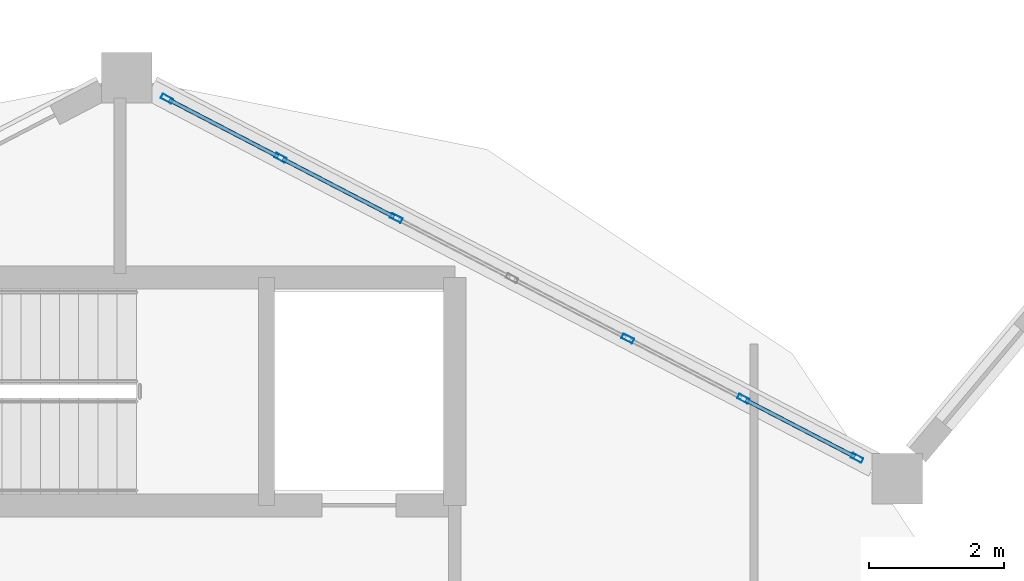
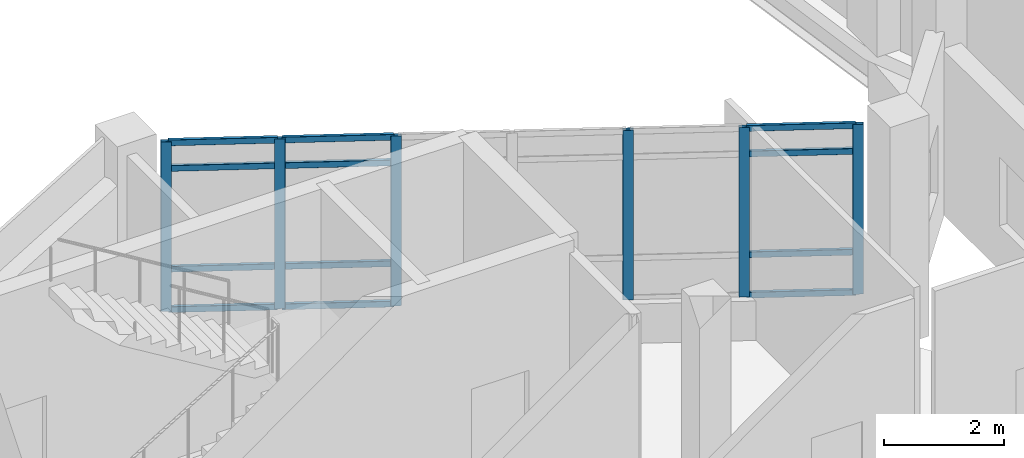
# One storey, part 26 of 129: 18 members, 1 element without a shape of its own.
"""IFC4 building model written with IfcOpenShell, lengths in metres."""

from ifc_helpers import new_model, si_unit, direction, frame, origin, origin_2d, place, context, subcontext, project, spatial, hollow_rectangle, extrude, material, layer, layer_set, material_profile, profile_set, type_object, element, aggregate, save


model = new_model("IFC4")

# Units and contexts
model_context = context("Model", 3, precision=1e-05, world=origin(), true_north=direction((0.0, 1.0)))
body_context = subcontext(model_context, "Body", "Model", "MODEL_VIEW")
ifc_project = project(units=[si_unit("LENGTHUNIT", "METRE"), si_unit("AREAUNIT", "SQUARE_METRE"), si_unit("VOLUMEUNIT", "CUBIC_METRE"), si_unit("PLANEANGLEUNIT", "RADIAN"), si_unit("MASSUNIT", "GRAM", prefix="KILO")], contexts=[model_context])

# Site, building, storey
site_placement = place(None, origin())
site = spatial("IfcSite", under=ifc_project, at=site_placement, CompositionType="ELEMENT")
building_placement = place(site_placement, origin())
building = spatial("IfcBuilding", under=site, at=building_placement, Name="Vespera Passage Community Centre", CompositionType="ELEMENT")
storey_placement = place(building_placement, origin())
storey = spatial("IfcBuildingStorey", under=building, at=storey_placement, Name="L00", CompositionType="ELEMENT", Elevation=0.0)

# Curtain wall, members
ifc_material_1 = material(Name="Anodized aluminium 6063-T6", Category="aluminium")
ifc_layer = layer(ifc_material_1, 0.159912109375)
ifc_layer_set = layer_set([ifc_layer], Name="Anodized aluminium 6063-T6")
curtain_wall_type = type_object("IfcCurtainWallType", Name="CW-83E", PredefinedType="NOTDEFINED", material=ifc_layer_set)
curtain_wall_placement = place(storey_placement, origin())
curtain_wall = element("IfcCurtainWall", 1, at=curtain_wall_placement, inside=storey, type_object=curtain_wall_type, Name="V1 L00 N Apse Ribbon Curtain Wall 3", PredefinedType="NOTDEFINED")
ifc_material_2 = material(Name="Anodized aluminium 6063-T6", Category="aluminium")
ifc_material_profile_1 = material_profile(ifc_material_2, hollow_rectangle(XDim=0.074951171875, YDim=0.179931640625, WallThickness=0.0048828125, InnerFilletRadius=0.00244140625, OuterFilletRadius=0.0048828125, at=origin_2d()), Name="ALU180X75X5")
ifc_profile_set_1 = profile_set([ifc_material_profile_1], Name="Anodized aluminium 6063-T6")
member_type_1 = type_object("IfcMemberType", Name="MB-CWM-180E", PredefinedType="MULLION", material=ifc_profile_set_1)
member_1_placement = place(storey_placement, frame((18.598876953125, 51.63818359375, 0.800048828125), z_axis=(0.0, 0.0, 1.0), x_axis=(0.46174493668, 0.887012747062, 0.0)))
member_1 = element("IfcMember", 2, at=member_1_placement, type_object=member_type_1, Name="CW-83E mullion 1", PredefinedType="MULLION", context=body_context, shape_type="SweptSolid", body=[
    extrude(hollow_rectangle(XDim=0.074951171875, YDim=0.179931640625, WallThickness=0.0048828125, InnerFilletRadius=0.00244140625, OuterFilletRadius=0.0048828125, at=origin_2d()), origin(), (0.0, 0.0, 1.0), 3.449951171875),
])
member_2_placement = place(storey_placement, frame((20.28173828125, 50.76220703125, 0.800048828125), z_axis=(0.0, 0.0, 1.0), x_axis=(0.46174493668, 0.887012747062, 0.0)))
member_2 = element("IfcMember", 3, at=member_2_placement, type_object=member_type_1, Name="CW-83E mullion 2", PredefinedType="MULLION", context=body_context, shape_type="SweptSolid", body=[
    extrude(hollow_rectangle(XDim=0.074951171875, YDim=0.179931640625, WallThickness=0.0048828125, InnerFilletRadius=0.00244140625, OuterFilletRadius=0.0048828125, at=origin_2d()), origin(), (0.0, 0.0, 1.0), 3.449951171875),
])
member_3_placement = place(storey_placement, frame((21.99755859375, 49.868896484375, 0.800048828125), z_axis=(0.0, 0.0, 1.0), x_axis=(0.46174493668, 0.887012747062, 0.0)))
member_3 = element("IfcMember", 4, at=member_3_placement, type_object=member_type_1, Name="CW-83E mullion 3", PredefinedType="MULLION", context=body_context, shape_type="SweptSolid", body=[
    extrude(hollow_rectangle(XDim=0.074951171875, YDim=0.179931640625, WallThickness=0.0048828125, InnerFilletRadius=0.00244140625, OuterFilletRadius=0.0048828125, at=origin_2d()), origin(), (0.0, 0.0, 1.0), 3.449951171875),
])
member_4_placement = place(storey_placement, frame((25.4296875, 48.08251953125, 0.800048828125), z_axis=(0.0, 0.0, 1.0), x_axis=(0.46174493668, 0.887012747062, 0.0)))
member_4 = element("IfcMember", 5, at=member_4_placement, type_object=member_type_1, Name="CW-83E mullion 5", PredefinedType="MULLION", context=body_context, shape_type="SweptSolid", body=[
    extrude(hollow_rectangle(XDim=0.074951171875, YDim=0.179931640625, WallThickness=0.0048828125, InnerFilletRadius=0.00244140625, OuterFilletRadius=0.0048828125, at=origin_2d()), origin(), (0.0, 0.0, 1.0), 3.449951171875),
])
member_5_placement = place(storey_placement, frame((27.1455078125, 47.189208984375, 0.800048828125), z_axis=(0.0, 0.0, 1.0), x_axis=(0.46174493668, 0.887012747062, 0.0)))
member_5 = element("IfcMember", 6, at=member_5_placement, type_object=member_type_1, Name="CW-83E mullion 6", PredefinedType="MULLION", context=body_context, shape_type="SweptSolid", body=[
    extrude(hollow_rectangle(XDim=0.074951171875, YDim=0.179931640625, WallThickness=0.0048828125, InnerFilletRadius=0.00244140625, OuterFilletRadius=0.0048828125, at=origin_2d()), origin(), (0.0, 0.0, 1.0), 3.449951171875),
])
member_6_placement = place(storey_placement, frame((28.828125, 46.313232421875, 0.800048828125), z_axis=(0.0, 0.0, 1.0), x_axis=(0.46174493668, 0.887012747062, 0.0)))
member_6 = element("IfcMember", 7, at=member_6_placement, type_object=member_type_1, Name="CW-83E mullion 7", PredefinedType="MULLION", context=body_context, shape_type="SweptSolid", body=[
    extrude(hollow_rectangle(XDim=0.074951171875, YDim=0.179931640625, WallThickness=0.0048828125, InnerFilletRadius=0.00244140625, OuterFilletRadius=0.0048828125, at=origin_2d()), origin(), (0.0, 0.0, 1.0), 3.449951171875),
])
ifc_material_3 = material(Name="Anodized aluminium 6063-T6", Category="aluminium")
ifc_material_profile_2 = material_profile(ifc_material_3, hollow_rectangle(XDim=0.06005859375, YDim=0.1201171875, WallThickness=0.00390625, InnerFilletRadius=0.001953125, OuterFilletRadius=0.00390625, at=origin_2d()), Name="ALU120X60X4")
ifc_profile_set_2 = profile_set([ifc_material_profile_2], Name="Anodized aluminium 6063-T6")
member_type_2 = type_object("IfcMemberType", Name="MB-CWT-120E", PredefinedType="USERDEFINED", material=ifc_profile_set_2)
member_7_placement = place(storey_placement, frame((18.63232421875, 51.620849609375, 0.830078125), z_axis=(0.886990706074, -0.461787274986, 0.0), x_axis=(0.461787274986, 0.886990706074, 0.0)))
member_7 = element("IfcMember", 8, at=member_7_placement, type_object=member_type_2, Name="CW-83E transom 1.1", ObjectType="TRANSOM", PredefinedType="USERDEFINED", context=body_context, shape_type="SweptSolid", body=[
    extrude(hollow_rectangle(XDim=0.06005859375, YDim=0.1201171875, WallThickness=0.00390625, InnerFilletRadius=0.001953125, OuterFilletRadius=0.00390625, at=origin_2d()), origin(), (0.0, 0.0, 1.0), 1.82177734375),
])
member_8_placement = place(storey_placement, frame((18.63232421875, 51.620849609375, 1.64990234375), z_axis=(0.886990706074, -0.461787274986, 0.0), x_axis=(0.461787274986, 0.886990706074, 0.0)))
member_8 = element("IfcMember", 9, at=member_8_placement, type_object=member_type_2, Name="CW-83E transom 1.2", ObjectType="TRANSOM", PredefinedType="USERDEFINED", context=body_context, shape_type="SweptSolid", body=[
    extrude(hollow_rectangle(XDim=0.06005859375, YDim=0.1201171875, WallThickness=0.00390625, InnerFilletRadius=0.001953125, OuterFilletRadius=0.00390625, at=origin_2d()), origin(), (0.0, 0.0, 1.0), 1.82177734375),
])
member_9_placement = place(storey_placement, frame((18.63232421875, 51.620849609375, 3.699951171875), z_axis=(0.886990706074, -0.461787274986, 0.0), x_axis=(0.461787274986, 0.886990706074, 0.0)))
member_9 = element("IfcMember", 10, at=member_9_placement, type_object=member_type_2, Name="CW-83E transom 1.3", ObjectType="TRANSOM", PredefinedType="USERDEFINED", context=body_context, shape_type="SweptSolid", body=[
    extrude(hollow_rectangle(XDim=0.06005859375, YDim=0.1201171875, WallThickness=0.00390625, InnerFilletRadius=0.001953125, OuterFilletRadius=0.00390625, at=origin_2d()), origin(), (0.0, 0.0, 1.0), 1.82177734375),
])
member_10_placement = place(storey_placement, frame((18.63232421875, 51.620849609375, 4.219970703125), z_axis=(0.886990706074, -0.461787274986, 0.0), x_axis=(0.461787274986, 0.886990706074, 0.0)))
member_10 = element("IfcMember", 11, at=member_10_placement, type_object=member_type_2, Name="CW-83E transom 1.4", ObjectType="TRANSOM", PredefinedType="USERDEFINED", context=body_context, shape_type="SweptSolid", body=[
    extrude(hollow_rectangle(XDim=0.06005859375, YDim=0.1201171875, WallThickness=0.00390625, InnerFilletRadius=0.001953125, OuterFilletRadius=0.00390625, at=origin_2d()), origin(), (0.0, 0.0, 1.0), 1.82177734375),
])
member_11_placement = place(storey_placement, frame((20.31494140625, 50.744873046875, 0.830078125), z_axis=(0.887008197889, -0.461753675544, 0.0), x_axis=(0.461753675544, 0.887008197889, 0.0)))
member_11 = element("IfcMember", 12, at=member_11_placement, type_object=member_type_2, Name="CW-83E transom 2.1", ObjectType="TRANSOM", PredefinedType="USERDEFINED", context=body_context, shape_type="SweptSolid", body=[
    extrude(hollow_rectangle(XDim=0.06005859375, YDim=0.1201171875, WallThickness=0.00390625, InnerFilletRadius=0.001953125, OuterFilletRadius=0.00390625, at=origin_2d()), origin(), (0.0, 0.0, 1.0), 1.859619140625),
])
member_12_placement = place(storey_placement, frame((20.31494140625, 50.744873046875, 1.64990234375), z_axis=(0.887008197889, -0.461753675544, 0.0), x_axis=(0.461753675544, 0.887008197889, 0.0)))
member_12 = element("IfcMember", 13, at=member_12_placement, type_object=member_type_2, Name="CW-83E transom 2.2", ObjectType="TRANSOM", PredefinedType="USERDEFINED", context=body_context, shape_type="SweptSolid", body=[
    extrude(hollow_rectangle(XDim=0.06005859375, YDim=0.1201171875, WallThickness=0.00390625, InnerFilletRadius=0.001953125, OuterFilletRadius=0.00390625, at=origin_2d()), origin(), (0.0, 0.0, 1.0), 1.859619140625),
])
member_13_placement = place(storey_placement, frame((20.31494140625, 50.744873046875, 3.699951171875), z_axis=(0.887008197889, -0.461753675544, 0.0), x_axis=(0.461753675544, 0.887008197889, 0.0)))
member_13 = element("IfcMember", 14, at=member_13_placement, type_object=member_type_2, Name="CW-83E transom 2.3", ObjectType="TRANSOM", PredefinedType="USERDEFINED", context=body_context, shape_type="SweptSolid", body=[
    extrude(hollow_rectangle(XDim=0.06005859375, YDim=0.1201171875, WallThickness=0.00390625, InnerFilletRadius=0.001953125, OuterFilletRadius=0.00390625, at=origin_2d()), origin(), (0.0, 0.0, 1.0), 1.859619140625),
])
member_14_placement = place(storey_placement, frame((20.31494140625, 50.744873046875, 4.219970703125), z_axis=(0.887008197889, -0.461753675544, 0.0), x_axis=(0.461753675544, 0.887008197889, 0.0)))
member_14 = element("IfcMember", 15, at=member_14_placement, type_object=member_type_2, Name="CW-83E transom 2.4", ObjectType="TRANSOM", PredefinedType="USERDEFINED", context=body_context, shape_type="SweptSolid", body=[
    extrude(hollow_rectangle(XDim=0.06005859375, YDim=0.1201171875, WallThickness=0.00390625, InnerFilletRadius=0.001953125, OuterFilletRadius=0.00390625, at=origin_2d()), origin(), (0.0, 0.0, 1.0), 1.859619140625),
])
member_15_placement = place(storey_placement, frame((27.1787109375, 47.171875, 0.830078125), z_axis=(0.887019277583, -0.461732391322, 0.0), x_axis=(0.461732391322, 0.887019277583, 0.0)))
member_15 = element("IfcMember", 16, at=member_15_placement, type_object=member_type_2, Name="CW-83E transom 6.1", ObjectType="TRANSOM", PredefinedType="USERDEFINED", context=body_context, shape_type="SweptSolid", body=[
    extrude(hollow_rectangle(XDim=0.06005859375, YDim=0.1201171875, WallThickness=0.00390625, InnerFilletRadius=0.001953125, OuterFilletRadius=0.00390625, at=origin_2d()), origin(), (0.0, 0.0, 1.0), 1.822021484375),
])
member_16_placement = place(storey_placement, frame((27.1787109375, 47.171875, 1.64990234375), z_axis=(0.887019277583, -0.461732391322, 0.0), x_axis=(0.461732391322, 0.887019277583, 0.0)))
member_16 = element("IfcMember", 17, at=member_16_placement, type_object=member_type_2, Name="CW-83E transom 6.2", ObjectType="TRANSOM", PredefinedType="USERDEFINED", context=body_context, shape_type="SweptSolid", body=[
    extrude(hollow_rectangle(XDim=0.06005859375, YDim=0.1201171875, WallThickness=0.00390625, InnerFilletRadius=0.001953125, OuterFilletRadius=0.00390625, at=origin_2d()), origin(), (0.0, 0.0, 1.0), 1.822021484375),
])
member_17_placement = place(storey_placement, frame((27.1787109375, 47.171875, 3.699951171875), z_axis=(0.887019277583, -0.461732391322, 0.0), x_axis=(0.461732391322, 0.887019277583, 0.0)))
member_17 = element("IfcMember", 18, at=member_17_placement, type_object=member_type_2, Name="CW-83E transom 6.3", ObjectType="TRANSOM", PredefinedType="USERDEFINED", context=body_context, shape_type="SweptSolid", body=[
    extrude(hollow_rectangle(XDim=0.06005859375, YDim=0.1201171875, WallThickness=0.00390625, InnerFilletRadius=0.001953125, OuterFilletRadius=0.00390625, at=origin_2d()), origin(), (0.0, 0.0, 1.0), 1.822021484375),
])
member_18_placement = place(storey_placement, frame((27.1787109375, 47.171875, 4.219970703125), z_axis=(0.887019277583, -0.461732391322, 0.0), x_axis=(0.461732391322, 0.887019277583, 0.0)))
member_18 = element("IfcMember", 19, at=member_18_placement, type_object=member_type_2, Name="CW-83E transom 6.4", ObjectType="TRANSOM", PredefinedType="USERDEFINED", context=body_context, shape_type="SweptSolid", body=[
    extrude(hollow_rectangle(XDim=0.06005859375, YDim=0.1201171875, WallThickness=0.00390625, InnerFilletRadius=0.001953125, OuterFilletRadius=0.00390625, at=origin_2d()), origin(), (0.0, 0.0, 1.0), 1.822021484375),
])
aggregate(curtain_wall, [member_1, member_2, member_3, member_4, member_5, member_6, member_7, member_8, member_9, member_10, member_11, member_12, member_13, member_14, member_15, member_16, member_17, member_18])

save(model, "model.ifc")
